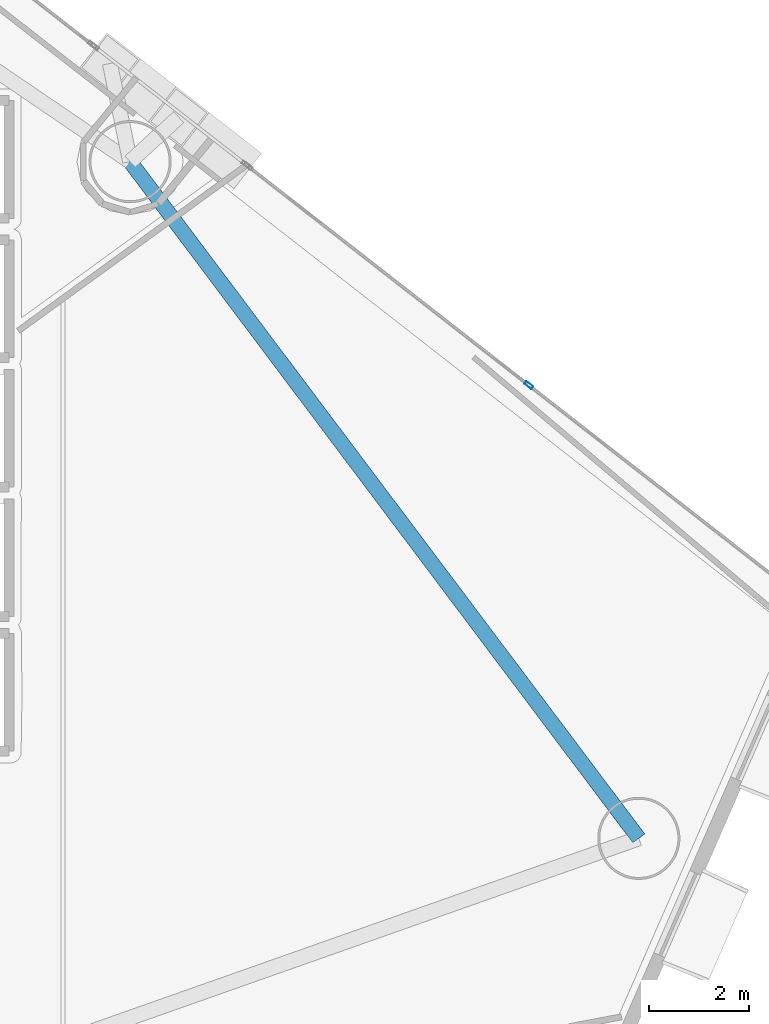
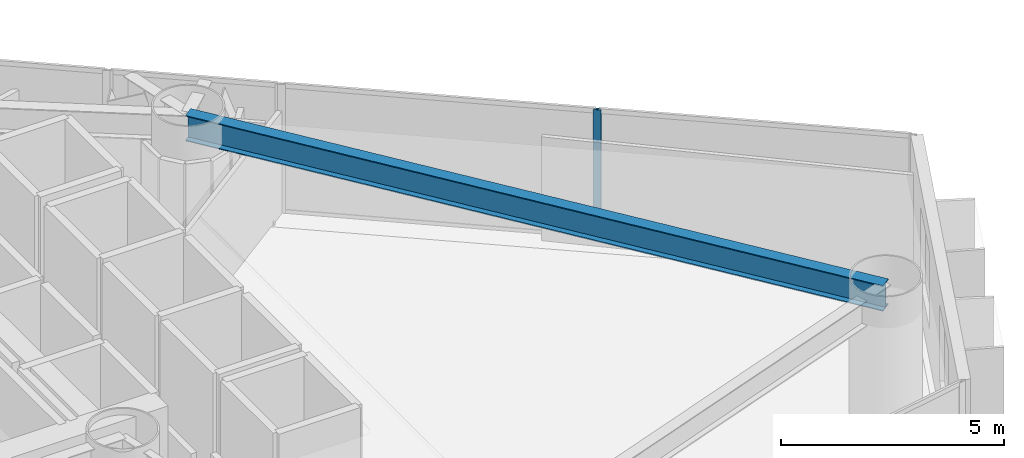
# One storey, part 13 of 23: 1 beam, 1 member, 1 element without a shape of its own.
"""IFC4 building model written with IfcOpenShell, lengths in metres."""

from ifc_helpers import new_model, si_unit, direction, frame, origin, origin_2d, place, context, subcontext, project, spatial, hollow_rectangle, i_section, extrude, material, layer, layer_set, material_profile, profile_set, type_object, element, aggregate, save


model = new_model("IFC4")

# Units and contexts
model_context = context("Model", 3, precision=1e-05, world=origin(), true_north=direction((0.0, 1.0)))
body_context = subcontext(model_context, "Body", "Model", "MODEL_VIEW")
ifc_project = project(units=[si_unit("LENGTHUNIT", "METRE"), si_unit("AREAUNIT", "SQUARE_METRE"), si_unit("VOLUMEUNIT", "CUBIC_METRE"), si_unit("PLANEANGLEUNIT", "RADIAN"), si_unit("MASSUNIT", "GRAM", prefix="KILO")], contexts=[model_context])

# Site, building, storey
site_placement = place(None, origin())
site = spatial("IfcSite", under=ifc_project, at=site_placement, CompositionType="ELEMENT")
building_placement = place(site_placement, origin())
building = spatial("IfcBuilding", under=site, at=building_placement, Name="Qianvela Tower", CompositionType="ELEMENT")
storey_placement = place(building_placement, frame((0.0, 0.0, 85.800048828125)))
storey = spatial("IfcBuildingStorey", under=building, at=storey_placement, Name="L21", CompositionType="ELEMENT", Elevation=85.800048828125)

# Beam
ifc_material_1 = material(Name="Steel Q355B", Category="steel")
ifc_material_profile_1 = material_profile(ifc_material_1, i_section(OverallWidth=0.300048828125, OverallDepth=0.699951171875, WebThickness=0.012939453125, FlangeThickness=0.02392578125, at=origin_2d()), Name="HN700x300x13x24")
ifc_profile_set_1 = profile_set([ifc_material_profile_1], Name="Steel Q355B")
beam_type = type_object("IfcBeamType", Name="BM-HN700-SPAND", PredefinedType="SPANDREL", material=ifc_profile_set_1)
beam_placement = place(storey_placement, frame((56.198974609375, 20.468017578125, 3.16796875), z_axis=(-0.600881979864, 0.799337754816, 0.0), x_axis=(-0.799337754816, -0.600881979864, 0.0)))
element("IfcBeam", 1, at=beam_placement, inside=storey, type_object=beam_type, Name="L21 Perimeter Ring Spandrel Girder 1", PredefinedType="SPANDREL", context=body_context, shape_type="SweptSolid", body=[
    extrude(i_section(OverallWidth=0.300048828125, OverallDepth=0.699951171875, WebThickness=0.012939453125, FlangeThickness=0.02392578125, at=origin_2d()), origin(), (0.0, 0.0, 1.0), 17.000244140625),
])

# Curtain wall, member
ifc_material_2 = material(Name="Anodised Architectural Aluminium and Low-E Glass", Category="aluminium")
ifc_layer = layer(ifc_material_2, 0.179931640625)
ifc_layer_set = layer_set([ifc_layer], Name="Anodised Architectural Aluminium and Low-E Glass")
curtain_wall_type = type_object("IfcCurtainWallType", Name="CW-COLIV-Z12", PredefinedType="USERDEFINED", material=ifc_layer_set)
curtain_wall_placement = place(storey_placement, origin())
curtain_wall = element("IfcCurtainWall", 2, at=curtain_wall_placement, inside=storey, type_object=curtain_wall_type, Name="L21 CW-COLIV-Z12 Curtain Wall 02A", ObjectType="CURTAIN_WALL_SYSTEM", PredefinedType="USERDEFINED")
ifc_material_3 = material(Name="Anodised Architectural Aluminium 6063-T6", Category="aluminium")
ifc_material_profile_2 = material_profile(ifc_material_3, hollow_rectangle(XDim=0.070068359375, YDim=0.179931640625, WallThickness=0.0048828125, at=origin_2d()), Name="ALU-MULL-70x180")
ifc_profile_set_2 = profile_set([ifc_material_profile_2], Name="Anodised Architectural Aluminium 6063-T6")
member_type = type_object("IfcMemberType", Name="CW-COLIV-Z12-MULL", PredefinedType="MULLION", material=ifc_profile_set_2)
member_placement = place(storey_placement, frame((53.990234375, 29.568603515625, 0.0), z_axis=(0.0, 0.0, 1.0), x_axis=(-0.615013700656, -0.788516422153, 0.0)))
member = element("IfcMember", 3, at=member_placement, type_object=member_type, Name="CW-3 mullion 2", PredefinedType="MULLION", context=body_context, shape_type="SweptSolid", body=[
    extrude(hollow_rectangle(XDim=0.070068359375, YDim=0.179931640625, WallThickness=0.0048828125, at=origin_2d()), origin(), (0.0, 0.0, 1.0), 3.52001953125),
])
aggregate(curtain_wall, [member])

save(model, "model.ifc")
